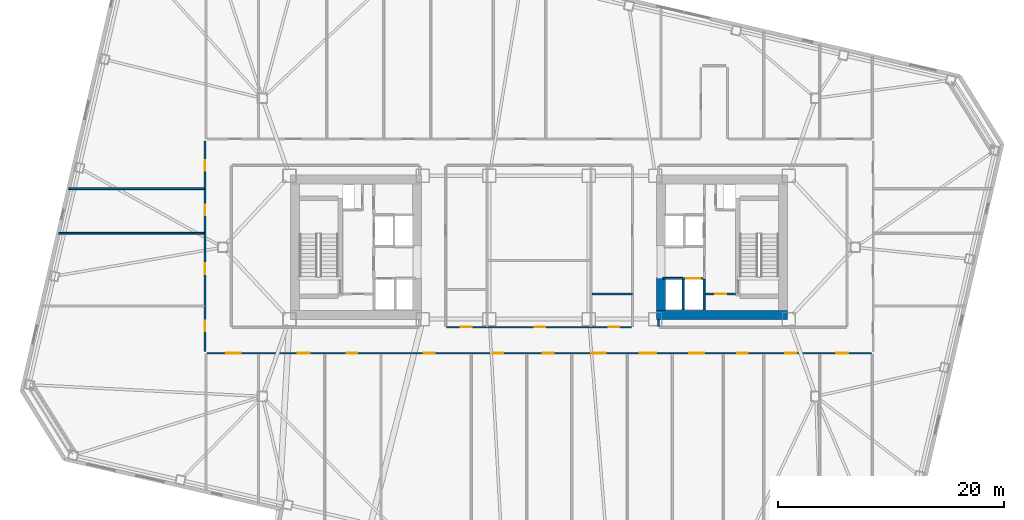
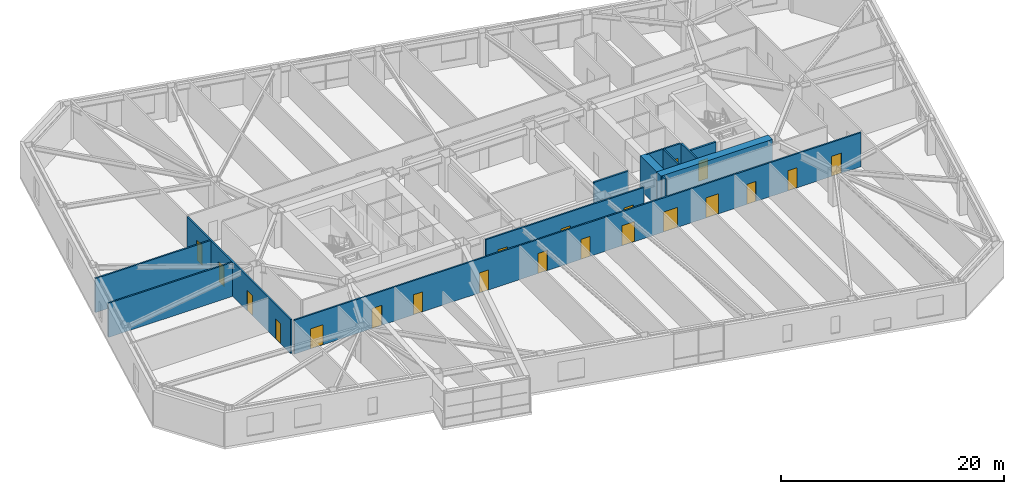
# One storey, part 12 of 21: 21 doors, 14 walls, 21 openings.
"""IFC4 building model written with IfcOpenShell, lengths in metres."""

from ifc_helpers import new_model, si_unit, direction, frame, frame_2d, origin, place, context, subcontext, project, spatial, rectangle, extrude, material, layer, layer_set, type_object, element, fill, save


model = new_model("IFC4")

# Units and contexts
model_context = context("Model", 3, precision=1e-05, world=origin(), true_north=direction((0.0, 1.0)))
body_context = subcontext(model_context, "Body", "Model", "MODEL_VIEW")
ifc_project = project(units=[si_unit("LENGTHUNIT", "METRE"), si_unit("AREAUNIT", "SQUARE_METRE"), si_unit("VOLUMEUNIT", "CUBIC_METRE"), si_unit("PLANEANGLEUNIT", "RADIAN"), si_unit("MASSUNIT", "GRAM", prefix="KILO")], contexts=[model_context])

# Site, building, storey
site_placement = place(None, origin())
site = spatial("IfcSite", under=ifc_project, at=site_placement, CompositionType="ELEMENT")
building_placement = place(site_placement, origin())
building = spatial("IfcBuilding", under=site, at=building_placement, Name="Tavrogorsk Clinical Tower", CompositionType="ELEMENT")
storey_placement = place(building_placement, frame((0.0, 0.0, 43.39990234375)))
storey = spatial("IfcBuildingStorey", under=building, at=storey_placement, Name="L08", CompositionType="ELEMENT", Elevation=43.39990234375)

# Wall, opening, door
ifc_material_1 = material(Name="Concrete B60", Category="concrete")
ifc_layer_1 = layer(ifc_material_1, 0.199951171875)
ifc_layer_set_1 = layer_set([ifc_layer_1], Name="Concrete B60")
wall_type_1 = type_object("IfcWallType", Name="CoreFireWall_200", PredefinedType="SOLIDWALL", material=ifc_layer_set_1)
wall_1_placement = place(storey_placement, frame((14.719970703125, -4.139892578125, 0.0), z_axis=(0.0, 0.0, 1.0), x_axis=(1.0, 0.0, 0.0)))
wall_1 = element("IfcWall", 1, at=wall_1_placement, inside=storey, type_object=wall_type_1, Name="L08 Core East South Core Room Fire Wall", PredefinedType="SOLIDWALL", context=body_context, shape_type="SweptSolid", body=[
    extrude(rectangle(XDim=2.659912109375, YDim=0.199951171875, at=frame_2d((1.330078125, 0.0))), origin(), (0.0, 0.0, 1.0), 3.739990234375),
])
opening_1_placement = place(wall_1_placement, frame((0.8798828125, 0.0, 0.0)))
opening_1 = element("IfcOpeningElement", 2, at=opening_1_placement, cuts=wall_1, Name="Opening ID-02", PredefinedType="OPENING", context=body_context, shape_type="SweptSolid", body=[
    extrude(rectangle(XDim=0.949951171875, YDim=2.199951171875, at=frame_2d((0.47509765625, 1.10009765625))), frame((0.0, 0.10986328125, 0.0), z_axis=(0.0, -1.0, 0.0), x_axis=(1.0, 0.0, 0.0)), (0.0, 0.0, 1.0), 0.219970703125),
])
ifc_material_2 = material(Name="Laminated timber leaf on aluminium frame", Category="wood")
door_type_1 = type_object("IfcDoorType", Name="InteriorDoor_ID02_950", OperationType="NOTDEFINED", PredefinedType="DOOR", material=ifc_material_2)
door_1_placement = place(opening_1_placement, origin())
door_1 = element("IfcDoor", 3, at=door_1_placement, inside=storey, type_object=door_type_1, Name="L08 Core East South Core Room Door", OperationType="SINGLE_SWING_RIGHT", OverallHeight=2.199951171875, OverallWidth=0.949951171875, PredefinedType="DOOR", context=body_context, shape_type="SweptSolid", body=[
    extrude(rectangle(XDim=0.949951171875, YDim=2.199951171875, at=frame_2d((0.47509765625, 1.10009765625))), frame((0.0, 0.02490234375, 0.0), z_axis=(0.0, -1.0, 0.0), x_axis=(1.0, 0.0, 0.0)), (0.0, 0.0, 1.0), 0.050048828125),
])
fill(opening_1, door_1)

# Wall, openings, doors
ifc_material_3 = material(Name="Lightweight concrete blockwork B15", Category="masonry")
ifc_layer_2 = layer(ifc_material_3, 0.159912109375)
ifc_layer_set_2 = layer_set([ifc_layer_2], Name="Lightweight concrete blockwork B15")
wall_type_2 = type_object("IfcWallType", Name="PartitionWall_160", PredefinedType="PARTITIONING", material=ifc_layer_set_2)
wall_2_placement = place(storey_placement, frame((-29.580078125, -9.215087890625, 0.0), z_axis=(0.0, 0.0, 1.0), x_axis=(0.0, 1.0, 0.0)))
wall_2 = element("IfcWall", 4, at=wall_2_placement, inside=storey, type_object=wall_type_2, Name="L08 Corridor Partition 01", PredefinedType="PARTITIONING", context=body_context, shape_type="SweptSolid", body=[
    extrude(rectangle(XDim=18.630126953125, YDim=0.159912109375, at=frame_2d((9.31494140625, 0.0))), origin(), (0.0, 0.0, 1.0), 3.739990234375),
])
opening_2_placement = place(wall_2_placement, frame((1.76904296875, 0.0, 0.0)))
opening_2 = element("IfcOpeningElement", 5, at=opening_2_placement, cuts=wall_2, Name="Opening ID-02", PredefinedType="OPENING", context=body_context, shape_type="SweptSolid", body=[
    extrude(rectangle(XDim=0.949951171875, YDim=2.199951171875, at=frame_2d((0.47509765625, 1.10009765625))), frame((0.0, 0.08984375, 0.0), z_axis=(0.0, -1.0, 0.0), x_axis=(1.0, 0.0, 0.0)), (0.0, 0.0, 1.0), 0.179931640625),
])
opening_3_placement = place(wall_2_placement, frame((6.85009765625, 0.0, 0.0)))
opening_3 = element("IfcOpeningElement", 6, at=opening_3_placement, cuts=wall_2, Name="Opening ID-02", PredefinedType="OPENING", context=body_context, shape_type="SweptSolid", body=[
    extrude(rectangle(XDim=0.949951171875, YDim=2.199951171875, at=frame_2d((0.47509765625, 1.10009765625))), frame((0.0, 0.08984375, 0.0), z_axis=(0.0, -1.0, 0.0), x_axis=(1.0, 0.0, 0.0)), (0.0, 0.0, 1.0), 0.179931640625),
])
opening_4_placement = place(wall_2_placement, frame((12.050048828125, 0.0, 0.0)))
opening_4 = element("IfcOpeningElement", 7, at=opening_4_placement, cuts=wall_2, Name="Opening ID-02", PredefinedType="OPENING", context=body_context, shape_type="SweptSolid", body=[
    extrude(rectangle(XDim=0.949951171875, YDim=2.199951171875, at=frame_2d((0.47509765625, 1.10009765625))), frame((0.0, 0.08984375, 0.0), z_axis=(0.0, -1.0, 0.0), x_axis=(1.0, 0.0, 0.0)), (0.0, 0.0, 1.0), 0.179931640625),
])
opening_5_placement = place(wall_2_placement, frame((15.98095703125, 0.0, 0.0)))
opening_5 = element("IfcOpeningElement", 8, at=opening_5_placement, cuts=wall_2, Name="Opening ID-02", PredefinedType="OPENING", context=body_context, shape_type="SweptSolid", body=[
    extrude(rectangle(XDim=0.949951171875, YDim=2.199951171875, at=frame_2d((0.47509765625, 1.10009765625))), frame((0.0, 0.08984375, 0.0), z_axis=(0.0, -1.0, 0.0), x_axis=(1.0, 0.0, 0.0)), (0.0, 0.0, 1.0), 0.179931640625),
])
door_2_placement = place(opening_2_placement, origin())
door_2 = element("IfcDoor", 9, at=door_2_placement, inside=storey, type_object=door_type_1, Name="L08 W Solarium Day Room & Lounge 1 Door", OperationType="SINGLE_SWING_LEFT", OverallHeight=2.199951171875, OverallWidth=0.949951171875, PredefinedType="DOOR", context=body_context, shape_type="SweptSolid", body=[
    extrude(rectangle(XDim=0.949951171875, YDim=2.199951171875, at=frame_2d((0.47509765625, 1.10009765625))), frame((0.0, 0.02490234375, 0.0), z_axis=(0.0, -1.0, 0.0), x_axis=(1.0, 0.0, 0.0)), (0.0, 0.0, 1.0), 0.050048828125),
])
fill(opening_2, door_2)
door_3_placement = place(opening_3_placement, origin())
door_3 = element("IfcDoor", 10, at=door_3_placement, inside=storey, type_object=door_type_1, Name="L08 W Rehabilitation Therapy Suite 2 Door", OperationType="SINGLE_SWING_RIGHT", OverallHeight=2.199951171875, OverallWidth=0.949951171875, PredefinedType="DOOR", context=body_context, shape_type="SweptSolid", body=[
    extrude(rectangle(XDim=0.949951171875, YDim=2.199951171875, at=frame_2d((0.47509765625, 1.10009765625))), frame((0.0, 0.02490234375, 0.0), z_axis=(0.0, -1.0, 0.0), x_axis=(1.0, 0.0, 0.0)), (0.0, 0.0, 1.0), 0.050048828125),
])
fill(opening_3, door_3)
door_4_placement = place(opening_4_placement, origin())
door_4 = element("IfcDoor", 11, at=door_4_placement, inside=storey, type_object=door_type_1, Name="L08 W Sub-Acute Observation Suite 3 Door", OperationType="SINGLE_SWING_LEFT", OverallHeight=2.199951171875, OverallWidth=0.949951171875, PredefinedType="DOOR", context=body_context, shape_type="SweptSolid", body=[
    extrude(rectangle(XDim=0.949951171875, YDim=2.199951171875, at=frame_2d((0.47509765625, 1.10009765625))), frame((0.0, 0.02490234375, 0.0), z_axis=(0.0, -1.0, 0.0), x_axis=(1.0, 0.0, 0.0)), (0.0, 0.0, 1.0), 0.050048828125),
])
fill(opening_4, door_4)
door_5_placement = place(opening_5_placement, origin())
door_5 = element("IfcDoor", 12, at=door_5_placement, inside=storey, type_object=door_type_1, Name="L08 W Family Consultation Lounge 4 Door", OperationType="SINGLE_SWING_RIGHT", OverallHeight=2.199951171875, OverallWidth=0.949951171875, PredefinedType="DOOR", context=body_context, shape_type="SweptSolid", body=[
    extrude(rectangle(XDim=0.949951171875, YDim=2.199951171875, at=frame_2d((0.47509765625, 1.10009765625))), frame((0.0, 0.02490234375, 0.0), z_axis=(0.0, -1.0, 0.0), x_axis=(1.0, 0.0, 0.0)), (0.0, 0.0, 1.0), 0.050048828125),
])
fill(opening_5, door_5)

wall_3_placement = place(storey_placement, frame((29.4150390625, -9.3798828125, 0.0), z_axis=(0.0, 0.0, 1.0), x_axis=(-1.0, 0.0, 0.0)))
wall_3 = element("IfcWall", 13, at=wall_3_placement, inside=storey, type_object=wall_type_2, Name="L08 Corridor Partition 08", PredefinedType="PARTITIONING", context=body_context, shape_type="SweptSolid", body=[
    extrude(rectangle(XDim=58.830078125, YDim=0.159912109375, at=frame_2d((29.4150390625, 0.0))), origin(), (0.0, 0.0, 1.0), 3.739990234375),
])
opening_6_placement = place(wall_3_placement, frame((55.830810546875, 0.0, 0.0)))
opening_6 = element("IfcOpeningElement", 14, at=opening_6_placement, cuts=wall_3, Name="Opening ID-01", PredefinedType="OPENING", context=body_context, shape_type="SweptSolid", body=[
    extrude(rectangle(XDim=1.300048828125, YDim=2.199951171875, at=frame_2d((0.64990234375, 1.10009765625))), frame((0.0, 0.08984375, 0.0), z_axis=(0.0, -1.0, 0.0), x_axis=(1.0, 0.0, 0.0)), (0.0, 0.0, 1.0), 0.179931640625),
])
opening_7_placement = place(wall_3_placement, frame((49.737548828125, 0.0, 0.0)))
opening_7 = element("IfcOpeningElement", 15, at=opening_7_placement, cuts=wall_3, Name="Opening ID-04", PredefinedType="OPENING", context=body_context, shape_type="SweptSolid", body=[
    extrude(rectangle(XDim=1.050048828125, YDim=2.199951171875, at=frame_2d((0.52490234375, 1.10009765625))), frame((0.0, 0.08984375, 0.0), z_axis=(0.0, -1.0, 0.0), x_axis=(1.0, 0.0, 0.0)), (0.0, 0.0, 1.0), 0.179931640625),
])
opening_8_placement = place(wall_3_placement, frame((45.512451171875, 0.0, 0.0)))
opening_8 = element("IfcOpeningElement", 16, at=opening_8_placement, cuts=wall_3, Name="Opening ID-02", PredefinedType="OPENING", context=body_context, shape_type="SweptSolid", body=[
    extrude(rectangle(XDim=0.949951171875, YDim=2.199951171875, at=frame_2d((0.47509765625, 1.10009765625))), frame((0.0, 0.08984375, 0.0), z_axis=(0.0, -1.0, 0.0), x_axis=(1.0, 0.0, 0.0)), (0.0, 0.0, 1.0), 0.179931640625),
])
opening_9_placement = place(wall_3_placement, frame((38.6650390625, 0.0, 0.0)))
opening_9 = element("IfcOpeningElement", 17, at=opening_9_placement, cuts=wall_3, Name="Opening ID-02", PredefinedType="OPENING", context=body_context, shape_type="SweptSolid", body=[
    extrude(rectangle(XDim=0.949951171875, YDim=2.199951171875, at=frame_2d((0.47509765625, 1.10009765625))), frame((0.0, 0.08984375, 0.0), z_axis=(0.0, -1.0, 0.0), x_axis=(1.0, 0.0, 0.0)), (0.0, 0.0, 1.0), 0.179931640625),
])
opening_10_placement = place(wall_3_placement, frame((32.574951171875, 0.0, 0.0)))
opening_10 = element("IfcOpeningElement", 18, at=opening_10_placement, cuts=wall_3, Name="Opening ID-02", PredefinedType="OPENING", context=body_context, shape_type="SweptSolid", body=[
    extrude(rectangle(XDim=0.949951171875, YDim=2.199951171875, at=frame_2d((0.47509765625, 1.10009765625))), frame((0.0, 0.08984375, 0.0), z_axis=(0.0, -1.0, 0.0), x_axis=(1.0, 0.0, 0.0)), (0.0, 0.0, 1.0), 0.179931640625),
])
opening_11_placement = place(wall_3_placement, frame((28.125, 0.0, 0.0)))
opening_11 = element("IfcOpeningElement", 19, at=opening_11_placement, cuts=wall_3, Name="Opening ID-02", PredefinedType="OPENING", context=body_context, shape_type="SweptSolid", body=[
    extrude(rectangle(XDim=0.949951171875, YDim=2.199951171875, at=frame_2d((0.47509765625, 1.10009765625))), frame((0.0, 0.08984375, 0.0), z_axis=(0.0, -1.0, 0.0), x_axis=(1.0, 0.0, 0.0)), (0.0, 0.0, 1.0), 0.179931640625),
])
opening_12_placement = place(wall_3_placement, frame((23.5, 0.0, 0.0)))
opening_12 = element("IfcOpeningElement", 20, at=opening_12_placement, cuts=wall_3, Name="Opening ID-01", PredefinedType="OPENING", context=body_context, shape_type="SweptSolid", body=[
    extrude(rectangle(XDim=1.300048828125, YDim=2.199951171875, at=frame_2d((0.64990234375, 1.10009765625))), frame((0.0, 0.08984375, 0.0), z_axis=(0.0, -1.0, 0.0), x_axis=(1.0, 0.0, 0.0)), (0.0, 0.0, 1.0), 0.179931640625),
])
opening_13_placement = place(wall_3_placement, frame((19.050048828125, 0.0, 0.0)))
opening_13 = element("IfcOpeningElement", 21, at=opening_13_placement, cuts=wall_3, Name="Opening ID-05", PredefinedType="OPENING", context=body_context, shape_type="SweptSolid", body=[
    extrude(rectangle(XDim=1.449951171875, YDim=2.199951171875, at=frame_2d((0.72509765625, 1.10009765625))), frame((0.0, 0.08984375, 0.0), z_axis=(0.0, -1.0, 0.0), x_axis=(1.0, 0.0, 0.0)), (0.0, 0.0, 1.0), 0.179931640625),
])
opening_14_placement = place(wall_3_placement, frame((14.800048828125, 0.0, 0.0)))
opening_14 = element("IfcOpeningElement", 22, at=opening_14_placement, cuts=wall_3, Name="Opening ID-01", PredefinedType="OPENING", context=body_context, shape_type="SweptSolid", body=[
    extrude(rectangle(XDim=1.300048828125, YDim=2.199951171875, at=frame_2d((0.64990234375, 1.10009765625))), frame((0.0, 0.08984375, 0.0), z_axis=(0.0, -1.0, 0.0), x_axis=(1.0, 0.0, 0.0)), (0.0, 0.0, 1.0), 0.179931640625),
])
opening_15_placement = place(wall_3_placement, frame((10.925048828125, 0.0, 0.0)))
opening_15 = element("IfcOpeningElement", 23, at=opening_15_placement, cuts=wall_3, Name="Opening ID-02", PredefinedType="OPENING", context=body_context, shape_type="SweptSolid", body=[
    extrude(rectangle(XDim=0.949951171875, YDim=2.199951171875, at=frame_2d((0.47509765625, 1.10009765625))), frame((0.0, 0.08984375, 0.0), z_axis=(0.0, -1.0, 0.0), x_axis=(1.0, 0.0, 0.0)), (0.0, 0.0, 1.0), 0.179931640625),
])
opening_16_placement = place(wall_3_placement, frame((6.64990234375, 0.0, 0.0)))
opening_16 = element("IfcOpeningElement", 24, at=opening_16_placement, cuts=wall_3, Name="Opening ID-02", PredefinedType="OPENING", context=body_context, shape_type="SweptSolid", body=[
    extrude(rectangle(XDim=0.949951171875, YDim=2.199951171875, at=frame_2d((0.47509765625, 1.10009765625))), frame((0.0, 0.08984375, 0.0), z_axis=(0.0, -1.0, 0.0), x_axis=(1.0, 0.0, 0.0)), (0.0, 0.0, 1.0), 0.179931640625),
])
opening_17_placement = place(wall_3_placement, frame((2.044189453125, 0.0, 0.0)))
opening_17 = element("IfcOpeningElement", 25, at=opening_17_placement, cuts=wall_3, Name="Opening ID-04", PredefinedType="OPENING", context=body_context, shape_type="SweptSolid", body=[
    extrude(rectangle(XDim=1.050048828125, YDim=2.199951171875, at=frame_2d((0.52490234375, 1.10009765625))), frame((0.0, 0.08984375, 0.0), z_axis=(0.0, -1.0, 0.0), x_axis=(1.0, 0.0, 0.0)), (0.0, 0.0, 1.0), 0.179931640625),
])
ifc_material_4 = material(Name="Antibacterial HPL consultation door on aluminium frame", Category="aluminium")
door_type_2 = type_object("IfcDoorType", Name="ConsultDoor_ID04_1050", OperationType="NOTDEFINED", PredefinedType="DOOR", material=ifc_material_4)
door_6_placement = place(opening_7_placement, origin())
door_6 = element("IfcDoor", 26, at=door_6_placement, inside=storey, type_object=door_type_2, Name="L08 South Soiled Utility & Sluice Room 02A Door", OperationType="SINGLE_SWING_RIGHT", OverallHeight=2.199951171875, OverallWidth=1.050048828125, PredefinedType="DOOR", context=body_context, shape_type="SweptSolid", body=[
    extrude(rectangle(XDim=1.050048828125, YDim=2.199951171875, at=frame_2d((0.52490234375, 1.10009765625))), frame((0.0, 0.02490234375, 0.0), z_axis=(0.0, -1.0, 0.0), x_axis=(1.0, 0.0, 0.0)), (0.0, 0.0, 1.0), 0.050048828125),
])
fill(opening_7, door_6)
door_7_placement = place(opening_17_placement, origin())
door_7 = element("IfcDoor", 27, at=door_7_placement, inside=storey, type_object=door_type_2, Name="L08 South Clinical Case Seminar Room 08 Door", OperationType="SINGLE_SWING_RIGHT", OverallHeight=2.199951171875, OverallWidth=1.050048828125, PredefinedType="DOOR", context=body_context, shape_type="SweptSolid", body=[
    extrude(rectangle(XDim=1.050048828125, YDim=2.199951171875, at=frame_2d((0.52490234375, 1.10009765625))), frame((0.0, 0.02490234375, 0.0), z_axis=(0.0, -1.0, 0.0), x_axis=(1.0, 0.0, 0.0)), (0.0, 0.0, 1.0), 0.050048828125),
])
fill(opening_17, door_7)
ifc_material_5 = material(Name="Antibacterial HPL bariatric ward double door")
door_type_3 = type_object("IfcDoorType", Name="DoubleWardDoor_ID05_1450", OperationType="DOUBLE_SWING_LEFT", PredefinedType="DOOR", material=ifc_material_5)
door_8_placement = place(opening_13_placement, origin())
door_8 = element("IfcDoor", 28, at=door_8_placement, inside=storey, type_object=door_type_3, Name="L08 South Acute Medical Ward 05B Door", OperationType="DOUBLE_SWING_LEFT", OverallHeight=2.199951171875, OverallWidth=1.449951171875, PredefinedType="DOOR", context=body_context, shape_type="SweptSolid", body=[
    extrude(rectangle(XDim=1.449951171875, YDim=2.199951171875, at=frame_2d((0.72509765625, 1.10009765625))), frame((0.0, 0.02490234375, 0.0), z_axis=(0.0, -1.0, 0.0), x_axis=(1.0, 0.0, 0.0)), (0.0, 0.0, 1.0), 0.050048828125),
])
fill(opening_13, door_8)
door_9_placement = place(opening_8_placement, origin())
door_9 = element("IfcDoor", 29, at=door_9_placement, inside=storey, type_object=door_type_1, Name="L08 South Outpatient Procedure Suite 02B Door", OperationType="SINGLE_SWING_LEFT", OverallHeight=2.199951171875, OverallWidth=0.949951171875, PredefinedType="DOOR", context=body_context, shape_type="SweptSolid", body=[
    extrude(rectangle(XDim=0.949951171875, YDim=2.199951171875, at=frame_2d((0.47509765625, 1.10009765625))), frame((0.0, 0.02490234375, 0.0), z_axis=(0.0, -1.0, 0.0), x_axis=(1.0, 0.0, 0.0)), (0.0, 0.0, 1.0), 0.050048828125),
])
fill(opening_8, door_9)
door_10_placement = place(opening_9_placement, origin())
door_10 = element("IfcDoor", 30, at=door_10_placement, inside=storey, type_object=door_type_1, Name="L08 South Clinical Case Seminar Room 03 Door", OperationType="SINGLE_SWING_RIGHT", OverallHeight=2.199951171875, OverallWidth=0.949951171875, PredefinedType="DOOR", context=body_context, shape_type="SweptSolid", body=[
    extrude(rectangle(XDim=0.949951171875, YDim=2.199951171875, at=frame_2d((0.47509765625, 1.10009765625))), frame((0.0, 0.02490234375, 0.0), z_axis=(0.0, -1.0, 0.0), x_axis=(1.0, 0.0, 0.0)), (0.0, 0.0, 1.0), 0.050048828125),
])
fill(opening_9, door_10)
door_11_placement = place(opening_10_placement, origin())
door_11 = element("IfcDoor", 31, at=door_11_placement, inside=storey, type_object=door_type_1, Name="L08 South Staff Rest & Nourishment Lounge 04A Door", OperationType="SINGLE_SWING_LEFT", OverallHeight=2.199951171875, OverallWidth=0.949951171875, PredefinedType="DOOR", context=body_context, shape_type="SweptSolid", body=[
    extrude(rectangle(XDim=0.949951171875, YDim=2.199951171875, at=frame_2d((0.47509765625, 1.10009765625))), frame((0.0, 0.02490234375, 0.0), z_axis=(0.0, -1.0, 0.0), x_axis=(1.0, 0.0, 0.0)), (0.0, 0.0, 1.0), 0.050048828125),
])
fill(opening_10, door_11)
door_12_placement = place(opening_11_placement, origin())
door_12 = element("IfcDoor", 32, at=door_12_placement, inside=storey, type_object=door_type_1, Name="L08 South Attending Physician Office 04B Door", OperationType="SINGLE_SWING_RIGHT", OverallHeight=2.199951171875, OverallWidth=0.949951171875, PredefinedType="DOOR", context=body_context, shape_type="SweptSolid", body=[
    extrude(rectangle(XDim=0.949951171875, YDim=2.199951171875, at=frame_2d((0.47509765625, 1.10009765625))), frame((0.0, 0.02490234375, 0.0), z_axis=(0.0, -1.0, 0.0), x_axis=(1.0, 0.0, 0.0)), (0.0, 0.0, 1.0), 0.050048828125),
])
fill(opening_11, door_12)
door_13_placement = place(opening_15_placement, origin())
door_13 = element("IfcDoor", 33, at=door_13_placement, inside=storey, type_object=door_type_1, Name="L08 South Clean Medication & Prep Room 06B Door", OperationType="SINGLE_SWING_RIGHT", OverallHeight=2.199951171875, OverallWidth=0.949951171875, PredefinedType="DOOR", context=body_context, shape_type="SweptSolid", body=[
    extrude(rectangle(XDim=0.949951171875, YDim=2.199951171875, at=frame_2d((0.47509765625, 1.10009765625))), frame((0.0, 0.02490234375, 0.0), z_axis=(0.0, -1.0, 0.0), x_axis=(1.0, 0.0, 0.0)), (0.0, 0.0, 1.0), 0.050048828125),
])
fill(opening_15, door_13)
door_14_placement = place(opening_16_placement, origin())
door_14 = element("IfcDoor", 34, at=door_14_placement, inside=storey, type_object=door_type_1, Name="L08 South Soiled Utility & Sluice Room 07 Door", OperationType="SINGLE_SWING_LEFT", OverallHeight=2.199951171875, OverallWidth=0.949951171875, PredefinedType="DOOR", context=body_context, shape_type="SweptSolid", body=[
    extrude(rectangle(XDim=0.949951171875, YDim=2.199951171875, at=frame_2d((0.47509765625, 1.10009765625))), frame((0.0, 0.02490234375, 0.0), z_axis=(0.0, -1.0, 0.0), x_axis=(1.0, 0.0, 0.0)), (0.0, 0.0, 1.0), 0.050048828125),
])
fill(opening_16, door_14)
ifc_material_6 = material(Name="Antibacterial HPL medical leaf on aluminium frame", Category="aluminium")
door_type_4 = type_object("IfcDoorType", Name="WardBedDoor_ID01_1300", OperationType="NOTDEFINED", PredefinedType="DOOR", material=ifc_material_6)
door_15_placement = place(opening_6_placement, origin())
door_15 = element("IfcDoor", 35, at=door_15_placement, inside=storey, type_object=door_type_4, Name="L08 South Surgical Step-Down Ward 01 Door", OperationType="SINGLE_SWING_LEFT", OverallHeight=2.199951171875, OverallWidth=1.300048828125, PredefinedType="DOOR", context=body_context, shape_type="SweptSolid", body=[
    extrude(rectangle(XDim=1.300048828125, YDim=2.199951171875, at=frame_2d((0.64990234375, 1.10009765625))), frame((0.0, 0.02490234375, 0.0), z_axis=(0.0, -1.0, 0.0), x_axis=(1.0, 0.0, 0.0)), (0.0, 0.0, 1.0), 0.050048828125),
])
fill(opening_6, door_15)
door_16_placement = place(opening_12_placement, origin())
door_16 = element("IfcDoor", 36, at=door_16_placement, inside=storey, type_object=door_type_4, Name="L08 South Bariatric Observation Ward 05A Door", OperationType="SINGLE_SWING_LEFT", OverallHeight=2.199951171875, OverallWidth=1.300048828125, PredefinedType="DOOR", context=body_context, shape_type="SweptSolid", body=[
    extrude(rectangle(XDim=1.300048828125, YDim=2.199951171875, at=frame_2d((0.64990234375, 1.10009765625))), frame((0.0, 0.02490234375, 0.0), z_axis=(0.0, -1.0, 0.0), x_axis=(1.0, 0.0, 0.0)), (0.0, 0.0, 1.0), 0.050048828125),
])
fill(opening_12, door_16)
door_17_placement = place(opening_14_placement, origin())
door_17 = element("IfcDoor", 37, at=door_17_placement, inside=storey, type_object=door_type_4, Name="L08 South Surgical Step-Down Ward 06A Door", OperationType="SINGLE_SWING_LEFT", OverallHeight=2.199951171875, OverallWidth=1.300048828125, PredefinedType="DOOR", context=body_context, shape_type="SweptSolid", body=[
    extrude(rectangle(XDim=1.300048828125, YDim=2.199951171875, at=frame_2d((0.64990234375, 1.10009765625))), frame((0.0, 0.02490234375, 0.0), z_axis=(0.0, -1.0, 0.0), x_axis=(1.0, 0.0, 0.0)), (0.0, 0.0, 1.0), 0.050048828125),
])
fill(opening_14, door_17)

# Wall
wall_4_placement = place(storey_placement, frame((10.580078125, -6.419921875, 0.0), z_axis=(0.0, 0.0, 1.0), x_axis=(0.0, -1.0, 0.0)))
element("IfcWall", 38, at=wall_4_placement, inside=storey, type_object=wall_type_2, Name="L08 Corridor Partition 11", PredefinedType="PARTITIONING", context=body_context, shape_type="SweptSolid", body=[
    extrude(rectangle(XDim=0.565185546875, YDim=0.159912109375, at=frame_2d((0.28271484375, 0.0))), origin(), (0.0, 0.0, 1.0), 3.739990234375),
])

# Wall, openings, doors
wall_5_placement = place(storey_placement, frame((-8.18505859375, -7.070068359375, 0.0), z_axis=(0.0, 0.0, 1.0), x_axis=(1.0, 0.0, 0.0)))
wall_5 = element("IfcWall", 39, at=wall_5_placement, inside=storey, type_object=wall_type_2, Name="L08 Corridor Partition 17", PredefinedType="PARTITIONING", context=body_context, shape_type="SweptSolid", body=[
    extrude(rectangle(XDim=16.3701171875, YDim=0.159912109375, at=frame_2d((8.18505859375, 0.0))), origin(), (0.0, 0.0, 1.0), 3.739990234375),
])
opening_18_placement = place(wall_5_placement, frame((1.254150390625, 0.0, 0.0)))
opening_18 = element("IfcOpeningElement", 40, at=opening_18_placement, cuts=wall_5, Name="Opening ID-02", PredefinedType="OPENING", context=body_context, shape_type="SweptSolid", body=[
    extrude(rectangle(XDim=0.949951171875, YDim=2.199951171875, at=frame_2d((0.47509765625, 1.10009765625))), frame((0.0, 0.08984375, 0.0), z_axis=(0.0, -1.0, 0.0), x_axis=(1.0, 0.0, 0.0)), (0.0, 0.0, 1.0), 0.179931640625),
])
opening_19_placement = place(wall_5_placement, frame((7.794921875, 0.0, 0.0)))
opening_19 = element("IfcOpeningElement", 41, at=opening_19_placement, cuts=wall_5, Name="Opening ID-02", PredefinedType="OPENING", context=body_context, shape_type="SweptSolid", body=[
    extrude(rectangle(XDim=0.949951171875, YDim=2.199951171875, at=frame_2d((0.47509765625, 1.10009765625))), frame((0.0, 0.08984375, 0.0), z_axis=(0.0, -1.0, 0.0), x_axis=(1.0, 0.0, 0.0)), (0.0, 0.0, 1.0), 0.179931640625),
])
opening_20_placement = place(wall_5_placement, frame((14.3359375, 0.0, 0.0)))
opening_20 = element("IfcOpeningElement", 42, at=opening_20_placement, cuts=wall_5, Name="Opening ID-02", PredefinedType="OPENING", context=body_context, shape_type="SweptSolid", body=[
    extrude(rectangle(XDim=0.949951171875, YDim=2.199951171875, at=frame_2d((0.47509765625, 1.10009765625))), frame((0.0, 0.08984375, 0.0), z_axis=(0.0, -1.0, 0.0), x_axis=(1.0, 0.0, 0.0)), (0.0, 0.0, 1.0), 0.179931640625),
])
door_18_placement = place(opening_18_placement, origin())
door_18 = element("IfcDoor", 43, at=door_18_placement, inside=storey, type_object=door_type_1, Name="L08 Accessible Patient Lavatory Door", OperationType="SINGLE_SWING_LEFT", OverallHeight=2.199951171875, OverallWidth=0.949951171875, PredefinedType="DOOR", context=body_context, shape_type="SweptSolid", body=[
    extrude(rectangle(XDim=0.949951171875, YDim=2.199951171875, at=frame_2d((0.47509765625, 1.10009765625))), frame((0.0, 0.02490234375, 0.0), z_axis=(0.0, -1.0, 0.0), x_axis=(1.0, 0.0, 0.0)), (0.0, 0.0, 1.0), 0.050048828125),
])
fill(opening_18, door_18)
door_19_placement = place(opening_19_placement, origin())
door_19 = element("IfcDoor", 44, at=door_19_placement, inside=storey, type_object=door_type_1, Name="L08 Multidisciplinary Conference Room Door", OperationType="SINGLE_SWING_LEFT", OverallHeight=2.199951171875, OverallWidth=0.949951171875, PredefinedType="DOOR", context=body_context, shape_type="SweptSolid", body=[
    extrude(rectangle(XDim=0.949951171875, YDim=2.199951171875, at=frame_2d((0.47509765625, 1.10009765625))), frame((0.0, 0.02490234375, 0.0), z_axis=(0.0, -1.0, 0.0), x_axis=(1.0, 0.0, 0.0)), (0.0, 0.0, 1.0), 0.050048828125),
])
fill(opening_19, door_19)
door_20_placement = place(opening_20_placement, origin())
door_20 = element("IfcDoor", 45, at=door_20_placement, inside=storey, type_object=door_type_1, Name="L08 Staff & Visitor Accessible WC Door", OperationType="SINGLE_SWING_LEFT", OverallHeight=2.199951171875, OverallWidth=0.949951171875, PredefinedType="DOOR", context=body_context, shape_type="SweptSolid", body=[
    extrude(rectangle(XDim=0.949951171875, YDim=2.199951171875, at=frame_2d((0.47509765625, 1.10009765625))), frame((0.0, 0.02490234375, 0.0), z_axis=(0.0, -1.0, 0.0), x_axis=(1.0, 0.0, 0.0)), (0.0, 0.0, 1.0), 0.050048828125),
])
fill(opening_20, door_20)

# Walls
wall_6_placement = place(storey_placement, frame((-42.552978515625, 1.25, 0.0), z_axis=(0.0, 0.0, 1.0), x_axis=(1.0, 0.0, 0.0)))
element("IfcWall", 46, at=wall_6_placement, inside=storey, type_object=wall_type_2, Name="L08 W Wing Divider 2", PredefinedType="PARTITIONING", context=body_context, shape_type="SweptSolid", body=[
    extrude(rectangle(XDim=12.887939453125, YDim=0.159912109375, at=frame_2d((6.44384765625, 0.0))), origin(), (0.0, 0.0, 1.0), 3.739990234375),
])
wall_7_placement = place(storey_placement, frame((-41.64111328125, 5.199951171875, 0.0), z_axis=(0.0, 0.0, 1.0), x_axis=(1.0, 0.0, 0.0)))
element("IfcWall", 47, at=wall_7_placement, inside=storey, type_object=wall_type_2, Name="L08 W Wing Divider 3", PredefinedType="PARTITIONING", context=body_context, shape_type="SweptSolid", body=[
    extrude(rectangle(XDim=11.97607421875, YDim=0.159912109375, at=frame_2d((5.988037109375, 0.0))), origin(), (0.0, 0.0, 1.0), 3.739990234375),
])
ifc_material_7 = material(Name="Lightweight concrete blockwork B20", Category="masonry")
ifc_layer_3 = layer(ifc_material_7, 0.179931640625)
ifc_layer_set_3 = layer_set([ifc_layer_3], Name="Lightweight concrete blockwork B20")
wall_type_3 = type_object("IfcWallType", Name="PartitionWall_180", PredefinedType="PARTITIONING", material=ifc_layer_set_3)
wall_8_placement = place(storey_placement, frame((4.695068359375, -4.14990234375, 0.0), z_axis=(0.0, 0.0, 1.0), x_axis=(1.0, 0.0, 0.0)))
element("IfcWall", 48, at=wall_8_placement, inside=storey, type_object=wall_type_3, Name="L08 Central Spine Partition 5", PredefinedType="PARTITIONING", context=body_context, shape_type="SweptSolid", body=[
    extrude(rectangle(XDim=3.56982421875, YDim=0.179931640625, at=frame_2d((1.784912109375, 0.0))), origin(), (0.0, 0.0, 1.0), 3.739990234375),
])

# Wall, opening, door
ifc_material_8 = material(Name="Lightweight concrete blockwork B25", Category="masonry")
ifc_layer_4 = layer(ifc_material_8, 0.159912109375)
ifc_layer_set_4 = layer_set([ifc_layer_4], Name="Lightweight concrete blockwork B25")
wall_type_4 = type_object("IfcWallType", Name="ShaftWall_160", PredefinedType="PARTITIONING", material=ifc_layer_set_4)
wall_9_placement = place(storey_placement, frame((12.77001953125, -2.75, 0.0), z_axis=(0.0, 0.0, 1.0), x_axis=(1.0, 0.0, 0.0)))
wall_9 = element("IfcWall", 49, at=wall_9_placement, inside=storey, type_object=wall_type_4, Name="L08 LP-L2 Lift Shaft Portal Wall", PredefinedType="PARTITIONING", context=body_context, shape_type="SweptSolid", body=[
    extrude(rectangle(XDim=1.760009765625, YDim=0.159912109375, at=frame_2d((0.8798828125, 0.0))), origin(), (0.0, 0.0, 1.0), 3.739990234375),
])
opening_21_placement = place(wall_9_placement, frame((0.280029296875, 0.0, 0.0)))
opening_21 = element("IfcOpeningElement", 50, at=opening_21_placement, cuts=wall_9, Name="Opening LD", PredefinedType="OPENING", context=body_context, shape_type="SweptSolid", body=[
    extrude(rectangle(XDim=1.199951171875, YDim=2.199951171875, at=frame_2d((0.60009765625, 1.10009765625))), frame((0.0, 0.08984375, 0.0), z_axis=(0.0, -1.0, 0.0), x_axis=(1.0, 0.0, 0.0)), (0.0, 0.0, 1.0), 0.179931640625),
])
ifc_material_9 = material(Name="Brushed stainless steel AISI 304 sliding doors", Category="steel")
door_type_5 = type_object("IfcDoorType", Name="LiftLandingDoor_LD_1200", OperationType="SLIDING_TO_LEFT", PredefinedType="DOOR", material=ifc_material_9)
door_21_placement = place(opening_21_placement, origin())
door_21 = element("IfcDoor", 51, at=door_21_placement, inside=storey, type_object=door_type_5, Name="L08 LP-L2 Sliding Lift Landing Door", OperationType="SLIDING_TO_LEFT", OverallHeight=2.199951171875, OverallWidth=1.199951171875, PredefinedType="DOOR", context=body_context, shape_type="SweptSolid", body=[
    extrude(rectangle(XDim=1.199951171875, YDim=2.199951171875, at=frame_2d((0.60009765625, 1.10009765625))), frame((0.0, 0.02490234375, 0.0), z_axis=(0.0, -1.0, 0.0), x_axis=(1.0, 0.0, 0.0)), (0.0, 0.0, 1.0), 0.050048828125),
])
fill(opening_21, door_21)

# Walls
for number, where, z_axis, x_axis, name in (
    (52, (12.75, -5.5400390625, 0.0), (0.0, 0.0, 1.0), (0.0, 1.0, 0.0), "L08 LP-L2 Lift Hoistway Divider Wall"),
    (53, (14.610107421875, -5.5400390625, 0.0), (0.0, 0.0, 1.0), (0.0, 1.0, 0.0), "L08 LP-L2 Lift Hoistway Outer Cheek Wall"),
):
    element("IfcWall", number, at=place(storey_placement, frame(where, z_axis=z_axis, x_axis=x_axis)), inside=storey, type_object=wall_type_4, Name=name, PredefinedType="PARTITIONING", context=body_context, shape_type="SweptSolid", body=[
        extrude(rectangle(XDim=2.699951171875, YDim=0.159912109375, at=frame_2d((1.35009765625, 0.0))), origin(), (0.0, 0.0, 1.0), 3.739990234375),
    ])
wall_10_placement = place(storey_placement, frame((10.969970703125, -2.75, 0.0), z_axis=(0.0, 0.0, 1.0), x_axis=(1.0, 0.0, 0.0)))
element("IfcWall", 54, at=wall_10_placement, inside=storey, type_object=wall_type_4, Name="L08 LP-M2 Lift Shaft Portal Wall", PredefinedType="PARTITIONING", context=body_context, shape_type="SweptSolid", body=[
    extrude(rectangle(XDim=1.760009765625, YDim=0.159912109375, at=frame_2d((0.8798828125, 0.0))), origin(), (0.0, 0.0, 1.0), 3.739990234375),
])
ifc_material_10 = material(Name="Concrete B80", Category="concrete")
ifc_layer_5 = layer(ifc_material_10, 0.800048828125)
ifc_layer_set_5 = layer_set([ifc_layer_5], Name="Concrete B80")
wall_type_5 = type_object("IfcWallType", Name="ShearWall_800", PredefinedType="SHEAR", material=ifc_layer_set_5)
wall_11_placement = place(storey_placement, frame((10.39990234375, -6.0, 0.0), z_axis=(0.0, 0.0, 1.0), x_axis=(1.0, 0.0, 0.0)))
element("IfcWall", 55, at=wall_11_placement, inside=storey, type_object=wall_type_5, Name="L08 Core East South Shear Wall", PredefinedType="SHEAR", context=body_context, shape_type="SweptSolid", body=[
    extrude(rectangle(XDim=11.60009765625, YDim=0.800048828125, at=frame_2d((5.800048828125, 0.0))), origin(), (0.0, 0.0, 1.0), 3.739990234375),
])
wall_12_placement = place(storey_placement, frame((10.800048828125, -5.60009765625, 0.0), z_axis=(0.0, 0.0, 1.0), x_axis=(0.0, 1.0, 0.0)))
element("IfcWall", 56, at=wall_12_placement, inside=storey, type_object=wall_type_5, Name="L08 Core East Inner South Pier", PredefinedType="SHEAR", context=body_context, shape_type="SweptSolid", body=[
    extrude(rectangle(XDim=2.9501953125, YDim=0.800048828125, at=frame_2d((1.47509765625, 0.0))), origin(), (0.0, 0.0, 1.0), 3.739990234375),
])

save(model, "model.ifc")
